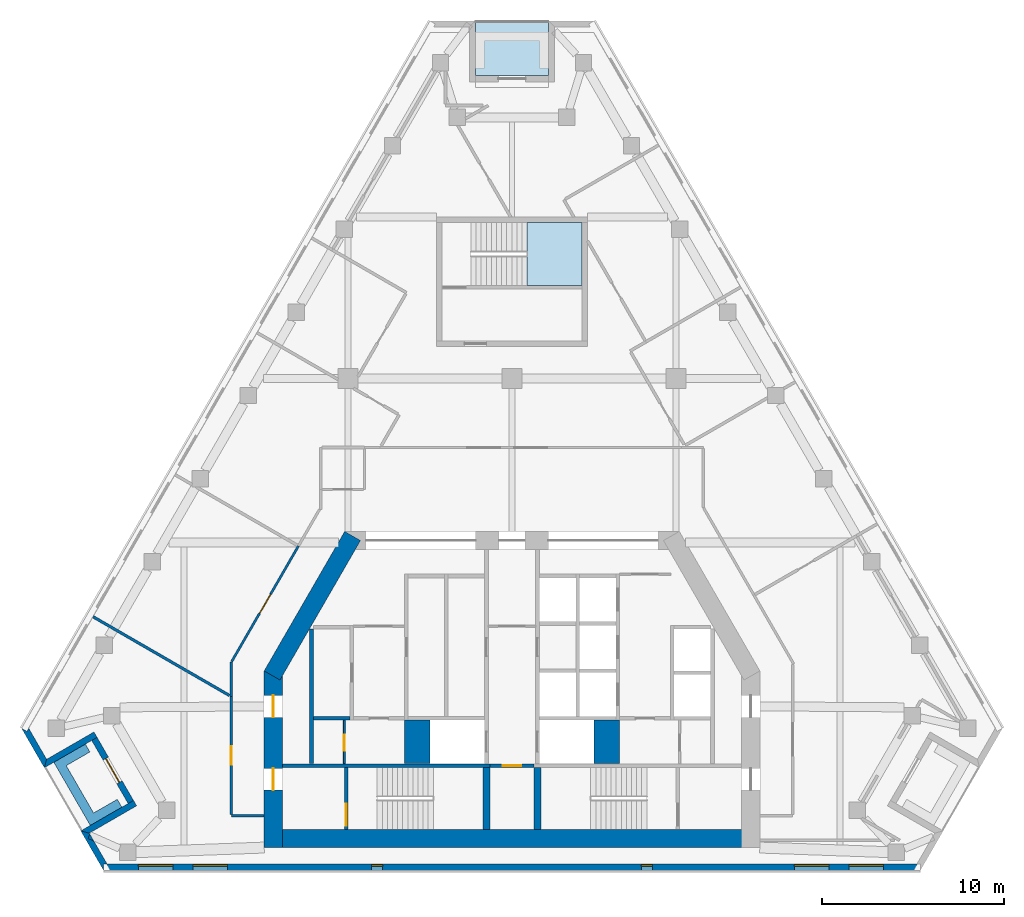
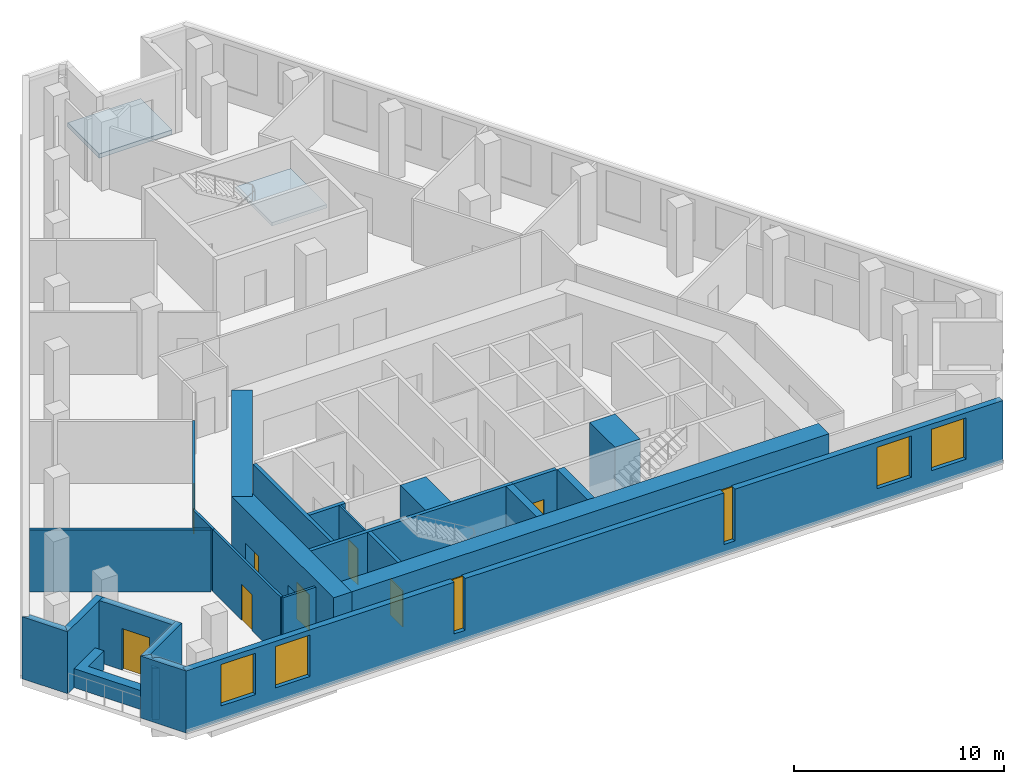
# One storey, part 2 of 8: 26 walls, 8 doors, 6 windows, 2 slabs, 14 openings, 1 element without a shape of its own.
"""IFC4 building model written with IfcOpenShell, lengths in metres."""

import ifcopenshell
import ifcopenshell.guid

model = None  # the IFC model being written
_history = None  # IfcOwnerHistory: only IFC2X3 demands one
_inside = {}  # id of a spatial element -> (the spatial element, [elements in it])
_under = {}  # id of a project, library or spatial element -> (it, [spatial elements below it])
_declared = {}  # id of a project -> (the project, [libraries it declares])
_typed = {}  # id of a type object -> (the type object, [elements of that type])
_made_of = {}  # id of a material, layer set ... -> (it, [elements and type objects made of it])


def new_model(schema):
    """Start an empty IFC model of exactly this schema.

    Asked for "IFC4X3", IfcOpenShell would pick the latest addendum, in which some entities
    have other attributes; the version numbers below select the first issue.
    IFC2X3 requires an IfcOwnerHistory on every rooted entity: one is made here for all.
    """
    global model, _history
    if schema == "IFC4X3":
        model = ifcopenshell.file(schema_version=(4, 3, 0, 0))
    else:
        model = ifcopenshell.file(schema=schema)
    _inside.clear()
    _under.clear()
    _declared.clear()
    _typed.clear()
    _made_of.clear()
    _history = None
    if model.schema == "IFC2X3":
        org = make("IfcOrganization", Name="unknown")
        user = make(
            "IfcPersonAndOrganization",
            ThePerson=make("IfcPerson", FamilyName="unknown"),
            TheOrganization=org,
        )
        app = make(
            "IfcApplication",
            ApplicationDeveloper=org,
            Version="unknown",
            ApplicationFullName="unknown",
            ApplicationIdentifier="unknown",
        )
        _history = make(
            "IfcOwnerHistory",
            OwningUser=user,
            OwningApplication=app,
            ChangeAction="ADDED",
            CreationDate=0,
        )
    return model


def make(cls, **values):
    """One entity of the class cls with the attributes given. An attribute that is None is left unset."""
    return model.create_entity(
        cls, **{name: value for name, value in values.items() if value is not None}
    )


def rooted(cls, **values):
    """An entity with a GlobalId (a new one), such as an element, a storey or a relation."""
    return make(cls, GlobalId=ifcopenshell.guid.new(), OwnerHistory=_history, **values)


def si_unit(unit_type, name, prefix=None):
    """IfcSIUnit, for example si_unit("LENGTHUNIT", "METRE", prefix="MILLI")."""
    return make("IfcSIUnit", UnitType=unit_type, Prefix=prefix, Name=name)


def assignment(units):
    """IfcUnitAssignment: the units of a project."""
    return None if units is None else make("IfcUnitAssignment", Units=units)


def point(xyz):
    """IfcCartesianPoint."""
    return None if xyz is None else make("IfcCartesianPoint", Coordinates=xyz)


def direction(xyz):
    """IfcDirection."""
    return None if xyz is None else make("IfcDirection", DirectionRatios=xyz)


def frame(location, z_axis=None, x_axis=None):
    """IfcAxis2Placement3D, a coordinate frame: its origin and axes. An axis left out is left unset."""
    return make(
        "IfcAxis2Placement3D",
        Location=point(location),
        Axis=direction(z_axis),
        RefDirection=direction(x_axis),
    )


def frame_2d(location, x_axis=None):
    """IfcAxis2Placement2D, a coordinate frame in the plane: its origin and x axis."""
    return make(
        "IfcAxis2Placement2D", Location=point(location), RefDirection=direction(x_axis)
    )


def origin():
    """The frame at (0, 0, 0) with its axes left unset."""
    return frame((0.0, 0.0, 0.0))


def place(relative_to, where):
    """IfcLocalPlacement: puts the frame where relative to a parent placement (None: the world)."""
    return make(
        "IfcLocalPlacement", PlacementRelTo=relative_to, RelativePlacement=where
    )


def context(
    kind, dimensions, precision=None, world=None, true_north=None, identifier=None
):
    """IfcGeometricRepresentationContext, for example the 3D "Model" context."""
    return make(
        "IfcGeometricRepresentationContext",
        ContextIdentifier=identifier,
        ContextType=kind,
        CoordinateSpaceDimension=dimensions,
        Precision=precision,
        WorldCoordinateSystem=world,
        TrueNorth=true_north,
    )


def subcontext(parent, identifier, kind, view, scale=None):
    """IfcGeometricRepresentationSubContext, for example "Body" below "Model"."""
    return make(
        "IfcGeometricRepresentationSubContext",
        ContextIdentifier=identifier,
        ContextType=kind,
        ParentContext=parent,
        TargetScale=scale,
        TargetView=view,
    )


def project(units=None, contexts=None):
    """IfcProject with its units and contexts."""
    return rooted(
        "IfcProject",
        Name="project",
        RepresentationContexts=contexts,
        UnitsInContext=assignment(units),
    )


def spatial(cls, under=None, at=None, **own):
    """A site, building, storey or space (cls), placed at a placement, below another one or the project."""
    s = rooted(cls, ObjectPlacement=at, **own)
    if under is not None:
        _under.setdefault(under.id(), (under, []))[1].append(s)
    return s


def polyline(points):
    """IfcPolyline through the points."""
    return make("IfcPolyline", Points=[point(p) for p in points])


def profile(cls, at=None, kind="AREA", **sizes):
    """A parametric profile (cls). Its sizes go by their IFC names, for example OverallWidth=200.0."""
    return make(cls, ProfileType=kind, Position=at, **sizes)


def rectangle(**sizes):
    """IfcRectangleProfileDef."""
    return profile("IfcRectangleProfileDef", **sizes)


def outline(outer, holes=None, kind="AREA"):
    """IfcArbitraryClosedProfileDef: a profile drawn as a closed curve; with holes, ...WithVoids."""
    if holes is None:
        return make("IfcArbitraryClosedProfileDef", ProfileType=kind, OuterCurve=outer)
    return make(
        "IfcArbitraryProfileDefWithVoids",
        ProfileType=kind,
        OuterCurve=outer,
        InnerCurves=holes,
    )


def extrude(swept, where, along, depth):
    """IfcExtrudedAreaSolid: the profile swept, set in the frame where, extruded along a direction by depth."""
    return make(
        "IfcExtrudedAreaSolid",
        SweptArea=swept,
        Position=where,
        ExtrudedDirection=direction(along),
        Depth=depth,
    )


def shape(context_of_items, identifier, shape_type, items):
    """IfcShapeRepresentation: the items that make up one representation, for example the "Body"."""
    return make(
        "IfcShapeRepresentation",
        ContextOfItems=context_of_items,
        RepresentationIdentifier=identifier,
        RepresentationType=shape_type,
        Items=items,
    )


def material(Name=None, Category=None):
    """IfcMaterial."""
    return make("IfcMaterial", Name=Name, Category=Category)


def layer(
    of_material, thickness, ventilated=None, Name=None, Category=None, Priority=None
):
    """IfcMaterialLayer: one layer of a wall or slab, of a material (None: an air gap)."""
    return make(
        "IfcMaterialLayer",
        Material=of_material,
        LayerThickness=thickness,
        IsVentilated=ventilated,
        Name=Name,
        Category=Category,
        Priority=Priority,
    )


def layer_set(layers, Name=None):
    """IfcMaterialLayerSet."""
    return make("IfcMaterialLayerSet", MaterialLayers=layers, LayerSetName=Name)


def made_of(thing, what):
    """Note that an element or type object is made of a material, layer set ...; save() writes the relation."""
    if what is not None:
        _made_of.setdefault(what.id(), (what, []))[1].append(thing)
    return thing


def type_object(cls, material=None, **own):
    """A type object (cls), such as IfcWallType, which elements share."""
    return made_of(rooted(cls, **own), material)


def element(
    cls,
    number,
    at=None,
    inside=None,
    cuts=None,
    type_object=None,
    material=None,
    context=None,
    identifier="Body",
    shape_type=None,
    held_by="IfcProductDefinitionShape",
    body=None,
    shapes=None,
    **own,
):
    """One element of the class cls, such as IfcWall. Its Tag is "e" and its number.

    at: its placement. inside: the storey or other place that contains it. cuts: it is an
    opening in that element (IfcRelVoidsElement). A single representation is given by context,
    identifier, shape_type and body (its items); several are given by shapes. held_by: the class
    of the entity that holds the representations. save() writes the other relations.
    """
    e = rooted(cls, Tag="e%d" % number, ObjectPlacement=at, **own)
    if body is not None:
        shapes = [shape(context, identifier, shape_type, body)]
    if shapes is not None:
        e.Representation = make(held_by, Representations=shapes)
    if inside is not None:
        _inside.setdefault(inside.id(), (inside, []))[1].append(e)
    if cuts is not None:
        rooted(
            "IfcRelVoidsElement", RelatingBuildingElement=cuts, RelatedOpeningElement=e
        )
    if type_object is not None:
        _typed.setdefault(type_object.id(), (type_object, []))[1].append(e)
    return made_of(e, material)


def fill(opening, filler):
    """IfcRelFillsElement: the door or window that sits in an opening."""
    return rooted(
        "IfcRelFillsElement",
        RelatingOpeningElement=opening,
        RelatedBuildingElement=filler,
    )


def aggregate(whole, parts):
    """IfcRelAggregates: a whole, such as a stair, and the parts it consists of."""
    return rooted("IfcRelAggregates", RelatingObject=whole, RelatedObjects=parts)


def save(model, path):
    """Write the relations noted so far, then the file.

    IfcRelAggregates (storeys below a building ...), IfcRelContainedInSpatialStructure (elements
    in a storey), IfcRelDefinesByType, IfcRelAssociatesMaterial and IfcRelDeclares: one each for
    every whole, place, type object, material and project.
    """
    for whole, parts in _under.values():
        aggregate(whole, parts)
    for where, things in _inside.values():
        rooted(
            "IfcRelContainedInSpatialStructure",
            RelatedElements=things,
            RelatingStructure=where,
        )
    for kind, things in _typed.values():
        rooted("IfcRelDefinesByType", RelatedObjects=things, RelatingType=kind)
    for what, things in _made_of.values():
        rooted("IfcRelAssociatesMaterial", RelatedObjects=things, RelatingMaterial=what)
    for by, libraries in _declared.values():
        rooted("IfcRelDeclares", RelatingContext=by, RelatedDefinitions=libraries)
    model.write(path)


model = new_model("IFC4")

# Units and contexts
model_context = context("Model", 3, precision=1e-05, world=origin(), true_north=direction((0.0, 1.0)))
body_context = subcontext(model_context, "Body", "Model", "MODEL_VIEW")
ifc_project = project(units=[si_unit("LENGTHUNIT", "METRE"), si_unit("AREAUNIT", "SQUARE_METRE"), si_unit("VOLUMEUNIT", "CUBIC_METRE"), si_unit("PLANEANGLEUNIT", "RADIAN"), si_unit("MASSUNIT", "GRAM", prefix="KILO")], contexts=[model_context])

# Site, building, storey
site_placement = place(None, origin())
site = spatial("IfcSite", under=ifc_project, at=site_placement, CompositionType="ELEMENT")
building_placement = place(site_placement, origin())
building = spatial("IfcBuilding", under=site, at=building_placement, Name="Fogline Exchange Tower", CompositionType="ELEMENT")
storey_placement = place(building_placement, frame((0.0, 0.0, 231.5)))
storey = spatial("IfcBuildingStorey", under=building, at=storey_placement, Name="L52", CompositionType="ELEMENT", Elevation=231.5)

# Slab
ifc_material_1 = material(Name="Concrete C40", Category="concrete")
ifc_layer_1 = layer(ifc_material_1, 0.25)
ifc_layer_set_1 = layer_set([ifc_layer_1], Name="DK1")
slab_type_1 = type_object("IfcSlabType", Name="DK1", PredefinedType="FLOOR", material=ifc_layer_set_1)
slab_1_placement = place(storey_placement, frame((0.0, 0.0, -0.25)))
element("IfcSlab", 1, at=slab_1_placement, inside=storey, type_object=slab_type_1, Name="Balcony L52 N", PredefinedType="FLOOR", context=body_context, shape_type="SweptSolid", body=[
    extrude(outline(polyline([(2.0, 46.61669921875), (-2.0, 46.61669921875), (-2.0, 43.61669921875), (2.0, 43.61669921875), (2.0, 46.61669921875)])), origin(), (0.0, 0.0, 1.0), 0.25),
])

# Stair, slab
stair_type = type_object("IfcStairType", Name="STR24-1667", PredefinedType="HALF_TURN_STAIR", material=ifc_material_1)
stair_placement = place(storey_placement, origin())
stair = element("IfcStair", 2, at=stair_placement, inside=storey, type_object=stair_type, Name="Stair ST3", PredefinedType="HALF_TURN_STAIR")
ifc_layer_2 = layer(ifc_material_1, 0.199951171875)
ifc_layer_set_2 = layer_set([ifc_layer_2], Name="SL200")
slab_type_2 = type_object("IfcSlabType", Name="SL200", PredefinedType="LANDING", material=ifc_layer_set_2)
slab_2_placement = place(storey_placement, frame((0.0, 0.0, 1.800048828125)))
slab_2 = element("IfcSlab", 3, at=slab_2_placement, type_object=slab_type_2, Name="ST3 landing 1", PredefinedType="LANDING", context=body_context, shape_type="SweptSolid", body=[
    extrude(outline(polyline([(0.830078125, 32.10693359375), (3.85009765625, 32.10693359375), (3.85009765625, 35.556884765625), (0.830078125, 35.556884765625), (0.830078125, 32.10693359375)])), origin(), (0.0, 0.0, 1.0), 0.199951171875),
])
aggregate(stair, [slab_2])

# Wall, opening, door
ifc_material_2 = material(Name="Blockwork partition", Category="masonry")
ifc_layer_3 = layer(ifc_material_2, 0.10009765625)
ifc_layer_set_3 = layer_set([ifc_layer_3], Name="CW10")
wall_type_1 = type_object("IfcWallType", Name="CW10", PredefinedType="PARTITIONING", material=ifc_layer_set_3)
wall_1_placement = place(storey_placement, frame((-9.199951171875, 5.85009765625, 0.0), z_axis=(0.0, 0.0, 1.0), x_axis=(0.0, 1.0, 0.0)))
wall_1 = element("IfcWall", 4, at=wall_1_placement, inside=storey, type_object=wall_type_1, Name="WC partition", PredefinedType="PARTITIONING", context=body_context, shape_type="SweptSolid", body=[
    extrude(rectangle(XDim=2.39990234375, YDim=0.10009765625, at=frame_2d((1.199951171875, 0.0))), origin(), (0.0, 0.0, 1.0), 3.60009765625),
])
opening_1_placement = place(wall_1_placement, frame((0.699951171875, 0.0, 0.0)))
opening_1 = element("IfcOpeningElement", 5, at=opening_1_placement, cuts=wall_1, Name="Opening T16-C008", PredefinedType="OPENING", context=body_context, shape_type="SweptSolid", body=[
    extrude(rectangle(XDim=0.89990234375, YDim=2.10009765625, at=frame_2d((0.449951171875, 1.050048828125))), frame((0.0, 0.06005859375, 0.0), z_axis=(0.0, -1.0, 0.0), x_axis=(1.0, 0.0, 0.0)), (0.0, 0.0, 1.0), 0.1201171875),
])
ifc_material_3 = material(Name="Steel and timber fire door", Category="steel")
door_type_1 = type_object("IfcDoorType", Name="D-CS1", OperationType="SINGLE_SWING_RIGHT", PredefinedType="DOOR", material=ifc_material_3)
door_1_placement = place(opening_1_placement, origin())
door_1 = element("IfcDoor", 6, at=door_1_placement, inside=storey, type_object=door_type_1, Name="Door to Cleaner's Store", OperationType="SINGLE_SWING_LEFT", OverallHeight=2.10009765625, OverallWidth=0.89990234375, PredefinedType="DOOR", context=body_context, shape_type="SweptSolid", body=[
    extrude(rectangle(XDim=0.89990234375, YDim=2.10009765625, at=frame_2d((0.449951171875, 1.050048828125))), frame((0.0, 0.02490234375, 0.0), z_axis=(0.0, -1.0, 0.0), x_axis=(1.0, 0.0, 0.0)), (0.0, 0.0, 1.0), 0.050048828125),
])
fill(opening_1, door_1)

# Walls
ifc_material_4 = material(Name="Concrete C60", Category="concrete")
ifc_layer_4 = layer(ifc_material_4, 1.39990234375)
ifc_layer_set_4 = layer_set([ifc_layer_4], Name="CW140")
wall_type_2 = type_object("IfcWallType", Name="CW140", PredefinedType="SOLIDWALL", material=ifc_layer_set_4)
for number, where, z_axis, x_axis, name in (
    (7, (-5.199951171875, 5.85009765625, -0.39990234375), (0.0, 0.0, 1.0), (0.0, 1.0, 0.0), "Lift shaft block wall"),
    (8, (5.199951171875, 5.85009765625, -0.39990234375), (0.0, 0.0, 1.0), (0.0, 1.0, 0.0), "Lift shaft block wall"),
):
    element("IfcWall", number, at=place(storey_placement, frame(where, z_axis=z_axis, x_axis=x_axis)), inside=storey, type_object=wall_type_2, Name=name, PredefinedType="SOLIDWALL", context=body_context, shape_type="SweptSolid", body=[
        extrude(rectangle(XDim=2.39990234375, YDim=1.39990234375, at=frame_2d((1.199951171875, 0.0))), origin(), (0.0, 0.0, 1.0), 4.0),
    ])
ifc_layer_5 = layer(ifc_material_1, 0.199951171875)
ifc_layer_set_5 = layer_set([ifc_layer_5], Name="CW20")
wall_type_3 = type_object("IfcWallType", Name="CW20", PredefinedType="SOLIDWALL", material=ifc_layer_set_5)
wall_2_placement = place(storey_placement, frame((-11.0, 5.85009765625, 0.0), z_axis=(0.0, 0.0, 1.0), x_axis=(0.0, 1.0, 0.0)))
element("IfcWall", 9, at=wall_2_placement, inside=storey, type_object=wall_type_3, Name="Service room wall", PredefinedType="SOLIDWALL", context=body_context, shape_type="SweptSolid", body=[
    extrude(rectangle(XDim=7.39990234375, YDim=0.199951171875, at=frame_2d((3.699951171875, 0.0))), origin(), (0.0, 0.0, 1.0), 3.60009765625),
])
ifc_layer_6 = layer(ifc_material_1, 0.199951171875)
ifc_layer_set_6 = layer_set([ifc_layer_6], Name="CW20R")
wall_type_4 = type_object("IfcWallType", Name="CW20R", PredefinedType="SOLIDWALL", material=ifc_layer_set_6)
wall_3_placement = place(storey_placement, frame((-12.60009765625, 5.75, -0.39990234375), z_axis=(0.0, 0.0, 1.0), x_axis=(1.0, 0.0, 0.0)))
element("IfcWall", 10, at=wall_3_placement, inside=storey, type_object=wall_type_4, Name="Stair enclosure wall", PredefinedType="SOLIDWALL", context=body_context, shape_type="SweptSolid", body=[
    extrude(rectangle(XDim=11.400146484375, YDim=0.199951171875, at=frame_2d((5.7001953125, 0.0))), origin(), (0.0, 0.0, 1.0), 4.0),
])

# Wall, opening, door
wall_4_placement = place(storey_placement, frame((-1.199951171875, 5.75, -0.39990234375), z_axis=(0.0, 0.0, 1.0), x_axis=(1.0, 0.0, 0.0)))
wall_4 = element("IfcWall", 11, at=wall_4_placement, inside=storey, type_object=wall_type_4, Name="Stair enclosure wall", PredefinedType="SOLIDWALL", context=body_context, shape_type="SweptSolid", body=[
    extrude(rectangle(XDim=2.39990234375, YDim=0.199951171875, at=frame_2d((1.199951171875, 0.0))), origin(), (0.0, 0.0, 1.0), 4.0),
])
opening_2_placement = place(wall_4_placement, frame((0.699951171875, 0.0, 0.39990234375)))
opening_2 = element("IfcOpeningElement", 12, at=opening_2_placement, cuts=wall_4, Name="Opening T16-C005", PredefinedType="OPENING", context=body_context, shape_type="SweptSolid", body=[
    extrude(rectangle(XDim=1.0, YDim=2.10009765625, at=frame_2d((0.5, 1.050048828125))), frame((0.0, 0.10986328125, 0.0), z_axis=(0.0, -1.0, 0.0), x_axis=(1.0, 0.0, 0.0)), (0.0, 0.0, 1.0), 0.219970703125),
])
door_type_2 = type_object("IfcDoorType", Name="D-RM1", OperationType="SINGLE_SWING_LEFT", PredefinedType="DOOR", material=ifc_material_3)
door_2_placement = place(opening_2_placement, frame((1.0, 0.0, 0.0), z_axis=(0.0, 0.0, 1.0), x_axis=(-1.0, 0.0, 0.0)))
door_2 = element("IfcDoor", 13, at=door_2_placement, inside=storey, type_object=door_type_2, Name="Door to Riser Room", OperationType="SINGLE_SWING_RIGHT", OverallHeight=2.10009765625, OverallWidth=1.0, PredefinedType="DOOR", context=body_context, shape_type="SweptSolid", body=[
    extrude(rectangle(XDim=1.0, YDim=2.10009765625, at=frame_2d((0.5, 1.050048828125))), frame((0.0, 0.02490234375, 0.0), z_axis=(0.0, -1.0, 0.0), x_axis=(1.0, 0.0, 0.0)), (0.0, 0.0, 1.0), 0.050048828125),
])
fill(opening_2, door_2)

wall_5_placement = place(storey_placement, frame((-9.10009765625, 2.25, -0.39990234375), z_axis=(0.0, 0.0, 1.0), x_axis=(0.0, 1.0, 0.0)))
wall_5 = element("IfcWall", 14, at=wall_5_placement, inside=storey, type_object=wall_type_4, Name="Stair enclosure wall", PredefinedType="SOLIDWALL", context=body_context, shape_type="SweptSolid", body=[
    extrude(rectangle(XDim=3.39990234375, YDim=0.199951171875, at=frame_2d((1.699951171875, 0.0))), origin(), (0.0, 0.0, 1.0), 4.0),
])
opening_3_placement = place(wall_5_placement, frame((0.199951171875, 0.0, 0.39990234375)))
opening_3 = element("IfcOpeningElement", 15, at=opening_3_placement, cuts=wall_5, Name="Opening T16-C010", PredefinedType="OPENING", context=body_context, shape_type="SweptSolid", body=[
    extrude(rectangle(XDim=1.199951171875, YDim=2.10009765625, at=frame_2d((0.60009765625, 1.050048828125))), frame((0.0, 0.10986328125, 0.0), z_axis=(0.0, -1.0, 0.0), x_axis=(1.0, 0.0, 0.0)), (0.0, 0.0, 1.0), 0.219970703125),
])
door_type_3 = type_object("IfcDoorType", Name="D-ST1", OperationType="SINGLE_SWING_LEFT", PredefinedType="DOOR", material=ifc_material_3)
door_3_placement = place(opening_3_placement, frame((1.199951171875, 0.0, 0.0), z_axis=(0.0, 0.0, 1.0), x_axis=(-1.0, 0.0, 0.0)))
door_3 = element("IfcDoor", 16, at=door_3_placement, inside=storey, type_object=door_type_3, Name="Stair door ST1", OperationType="SINGLE_SWING_RIGHT", OverallHeight=2.10009765625, OverallWidth=1.199951171875, PredefinedType="DOOR", context=body_context, shape_type="SweptSolid", body=[
    extrude(rectangle(XDim=1.199951171875, YDim=2.10009765625, at=frame_2d((0.60009765625, 1.050048828125))), frame((0.0, 0.02490234375, 0.0), z_axis=(0.0, -1.0, 0.0), x_axis=(1.0, 0.0, 0.0)), (0.0, 0.0, 1.0), 0.050048828125),
])
fill(opening_3, door_3)

# Walls
ifc_layer_7 = layer(ifc_material_1, 0.199951171875)
ifc_layer_set_7 = layer_set([ifc_layer_7], Name="CW20S")
wall_type_5 = type_object("IfcWallType", Name="CW20S", PredefinedType="SOLIDWALL", material=ifc_layer_set_7)
wall_6_placement = place(storey_placement, frame((-10.89990234375, 8.35009765625, -0.39990234375), z_axis=(0.0, 0.0, 1.0), x_axis=(1.0, 0.0, 0.0)))
element("IfcWall", 17, at=wall_6_placement, inside=storey, type_object=wall_type_5, Name="Lift shaft wall", PredefinedType="SOLIDWALL", context=body_context, shape_type="SweptSolid", body=[
    extrude(rectangle(XDim=2.0, YDim=0.199951171875, at=frame_2d((1.0, 0.0))), origin(), (0.0, 0.0, 1.0), 4.0),
])
ifc_layer_8 = layer(ifc_material_1, 0.39990234375)
ifc_layer_set_8 = layer_set([ifc_layer_8], Name="CW40R")
wall_type_6 = type_object("IfcWallType", Name="CW40R", PredefinedType="SOLIDWALL", material=ifc_layer_set_8)
for number, where, z_axis, x_axis, name in (
    (18, (-1.39990234375, 2.25, -0.39990234375), (0.0, 0.0, 1.0), (0.0, 1.0, 0.0), "Stair and lift shaft wall"),
    (19, (1.39990234375, 2.25, -0.39990234375), (0.0, 0.0, 1.0), (0.0, 1.0, 0.0), "Stair and lift shaft wall"),
):
    element("IfcWall", number, at=place(storey_placement, frame(where, z_axis=z_axis, x_axis=x_axis)), inside=storey, type_object=wall_type_6, Name=name, PredefinedType="SOLIDWALL", context=body_context, shape_type="SweptSolid", body=[
        extrude(rectangle(XDim=3.39990234375, YDim=0.39990234375, at=frame_2d((1.699951171875, 0.0))), origin(), (0.0, 0.0, 1.0), 4.0),
    ])
ifc_material_5 = material(Name="Brick masonry", Category="masonry")
ifc_layer_9 = layer(ifc_material_5, 0.340087890625)
ifc_layer_set_9 = layer_set([ifc_layer_9], Name="FW1")
wall_type_7 = type_object("IfcWallType", Name="FW1", PredefinedType="SOLIDWALL", material=ifc_layer_set_9)
wall_7_placement = place(storey_placement, origin())
element("IfcWall", 20, at=wall_7_placement, inside=storey, type_object=wall_type_7, Name="Brick wall L52 SW-c1", PredefinedType="SOLIDWALL", context=body_context, shape_type="SweptSolid", body=[
    extrude(outline(polyline([(-25.6640625, 5.6279296875), (-26.915283203125, 7.794921875), (-26.914794921875, 7.79541015625), (-26.619873046875, 7.625), (-26.521484375, 7.79541015625), (-25.5390625, 6.09375), (-25.663818359375, 5.6279296875), (-25.6640625, 5.6279296875)])), origin(), (0.0, 0.0, 1.0), 3.60009765625),
])
wall_8_placement = place(storey_placement, origin())
element("IfcWall", 21, at=wall_8_placement, inside=storey, type_object=wall_type_7, Name="Brick wall L52 SW-s1", PredefinedType="SOLIDWALL", context=body_context, shape_type="SweptSolid", body=[
    extrude(outline(polyline([(-22.94140625, 7.594482421875), (-22.770751953125, 7.298828125), (-23.065673828125, 7.128662109375), (-25.664794921875, 5.628173828125), (-25.6650390625, 5.62841796875), (-25.540283203125, 6.093994140625), (-22.94140625, 7.594482421875)])), origin(), (0.0, 0.0, 1.0), 3.60009765625),
])

# Wall, opening, door
wall_9_placement = place(storey_placement, frame((-22.9189453125, 7.214111328125, 0.0), z_axis=(0.0, 0.0, 1.0), x_axis=(0.49999894854, -0.866026010844, 0.0)))
wall_9 = element("IfcWall", 22, at=wall_9_placement, inside=storey, type_object=wall_type_7, Name="Brick wall L52 SW-bk", PredefinedType="SOLIDWALL", context=body_context, shape_type="SweptSolid", body=[
    extrude(rectangle(XDim=4.0, YDim=0.340087890625, at=frame_2d((2.0, 0.0))), origin(), (0.0, 0.0, 1.0), 3.60009765625),
])
opening_4_placement = place(wall_9_placement, frame((1.25, 0.0, 0.0)))
opening_4 = element("IfcOpeningElement", 23, at=opening_4_placement, cuts=wall_9, Name="Opening T16-E021", PredefinedType="OPENING", context=body_context, shape_type="SweptSolid", body=[
    extrude(rectangle(XDim=1.5, YDim=2.39990234375, at=frame_2d((0.75, 1.199951171875))), frame((0.0, 0.18017578125, 0.0), z_axis=(0.0, -1.0, 0.0), x_axis=(1.0, 0.0, 0.0)), (0.0, 0.0, 1.0), 0.360107421875),
])
ifc_material_6 = material(Name="Aluminium and glass", Category="aluminium")
door_type_4 = type_object("IfcDoorType", Name="ED4", OperationType="SINGLE_SWING_LEFT", PredefinedType="DOOR", material=ifc_material_6)
door_4_placement = place(opening_4_placement, frame((1.5, 0.0, 0.0), z_axis=(0.0, 0.0, 1.0), x_axis=(-1.0, 0.0, 0.0)))
door_4 = element("IfcDoor", 24, at=door_4_placement, inside=storey, type_object=door_type_4, Name="Balcony door L52 SW", OperationType="DOUBLE_DOOR_SINGLE_SWING", OverallHeight=2.39990234375, OverallWidth=1.5, PredefinedType="DOOR", context=body_context, shape_type="SweptSolid", body=[
    extrude(rectangle(XDim=1.5, YDim=2.39990234375, at=frame_2d((0.75, 1.199951171875))), frame((0.0, 0.02490234375, 0.0), z_axis=(0.0, -1.0, 0.0), x_axis=(1.0, 0.0, 0.0)), (0.0, 0.0, 1.0), 0.050048828125),
])
fill(opening_4, door_4)

# Walls
wall_10_placement = place(storey_placement, origin())
element("IfcWall", 25, at=wall_10_placement, inside=storey, type_object=wall_type_7, Name="Brick wall L52 SW-s2", PredefinedType="SOLIDWALL", context=body_context, shape_type="SweptSolid", body=[
    extrude(outline(polyline([(-23.665283203125, 2.1650390625), (-21.06640625, 3.66552734375), (-20.771484375, 3.8359375), (-20.600830078125, 3.540283203125), (-23.19970703125, 2.0400390625), (-23.665283203125, 2.164794921875), (-23.665283203125, 2.1650390625)])), origin(), (0.0, 0.0, 1.0), 3.60009765625),
])
wall_11_placement = place(storey_placement, origin())
element("IfcWall", 26, at=wall_11_placement, inside=storey, type_object=wall_type_7, Name="Brick wall L52 SW-c2", PredefinedType="SOLIDWALL", context=body_context, shape_type="SweptSolid", body=[
    extrude(outline(polyline([(-22.9482421875, 1.606201171875), (-23.271484375, 1.75), (-23.1669921875, 1.985107421875), (-22.9482421875, 1.606201171875)])), origin(), (0.0, 0.0, 1.0), 3.0),
])
wall_12_placement = place(storey_placement, origin())
element("IfcWall", 27, at=wall_12_placement, inside=storey, type_object=wall_type_7, Name="Brick wall L52 SW-c2", PredefinedType="SOLIDWALL", context=body_context, shape_type="SweptSolid", body=[
    extrude(outline(polyline([(-22.41357421875, 0.33935546875), (-22.41357421875, -0.0009765625), (-22.4140625, -0.001220703125), (-23.665283203125, 2.165771484375), (-23.6650390625, 2.166015625), (-23.19921875, 2.041015625), (-23.1669921875, 1.985107421875), (-23.271484375, 1.75), (-22.9482421875, 1.606201171875), (-22.216796875, 0.33935546875), (-22.41357421875, 0.33935546875)])), origin(), (0.0, 0.0, 1.0), 3.60009765625),
])

# Wall, openings, windows
wall_13_placement = place(storey_placement, frame((-22.4140625, 0.169921875, 0.0), z_axis=(0.0, 0.0, 1.0), x_axis=(1.0, 0.0, 0.0)))
wall_13 = element("IfcWall", 28, at=wall_13_placement, inside=storey, type_object=wall_type_7, Name="Brick wall L52 S", PredefinedType="SOLIDWALL", context=body_context, shape_type="SweptSolid", body=[
    extrude(rectangle(XDim=44.828125, YDim=0.340087890625, at=frame_2d((22.4140625, 0.0))), origin(), (0.0, 0.0, 1.0), 3.60009765625),
])
opening_5_placement = place(wall_13_placement, frame((1.9140625, 0.0, 0.89990234375)))
opening_5 = element("IfcOpeningElement", 29, at=opening_5_placement, cuts=wall_13, Name="Opening W1", PredefinedType="OPENING", context=body_context, shape_type="SweptSolid", body=[
    extrude(rectangle(XDim=1.885009765625, YDim=2.39990234375, at=frame_2d((0.9423828125, 1.199951171875))), frame((0.0, 0.18017578125, 0.0), z_axis=(0.0, -1.0, 0.0), x_axis=(1.0, 0.0, 0.0)), (0.0, 0.0, 1.0), 0.360107421875),
])
opening_6_placement = place(wall_13_placement, frame((4.9140625, 0.0, 0.89990234375)))
opening_6 = element("IfcOpeningElement", 30, at=opening_6_placement, cuts=wall_13, Name="Opening W1", PredefinedType="OPENING", context=body_context, shape_type="SweptSolid", body=[
    extrude(rectangle(XDim=1.885009765625, YDim=2.39990234375, at=frame_2d((0.9423828125, 1.199951171875))), frame((0.0, 0.18017578125, 0.0), z_axis=(0.0, -1.0, 0.0), x_axis=(1.0, 0.0, 0.0)), (0.0, 0.0, 1.0), 0.360107421875),
])
opening_7_placement = place(wall_13_placement, frame((37.9140625, 0.0, 0.89990234375)))
opening_7 = element("IfcOpeningElement", 31, at=opening_7_placement, cuts=wall_13, Name="Opening W1", PredefinedType="OPENING", context=body_context, shape_type="SweptSolid", body=[
    extrude(rectangle(XDim=1.885009765625, YDim=2.39990234375, at=frame_2d((0.9423828125, 1.199951171875))), frame((0.0, 0.18017578125, 0.0), z_axis=(0.0, -1.0, 0.0), x_axis=(1.0, 0.0, 0.0)), (0.0, 0.0, 1.0), 0.360107421875),
])
opening_8_placement = place(wall_13_placement, frame((40.9140625, 0.0, 0.89990234375)))
opening_8 = element("IfcOpeningElement", 32, at=opening_8_placement, cuts=wall_13, Name="Opening W1", PredefinedType="OPENING", context=body_context, shape_type="SweptSolid", body=[
    extrude(rectangle(XDim=1.885009765625, YDim=2.39990234375, at=frame_2d((0.9423828125, 1.199951171875))), frame((0.0, 0.18017578125, 0.0), z_axis=(0.0, -1.0, 0.0), x_axis=(1.0, 0.0, 0.0)), (0.0, 0.0, 1.0), 0.360107421875),
])
opening_9_placement = place(wall_13_placement, frame((14.714111328125, 0.0, 0.60009765625)))
opening_9 = element("IfcOpeningElement", 33, at=opening_9_placement, cuts=wall_13, Name="Opening W5", PredefinedType="OPENING", context=body_context, shape_type="SweptSolid", body=[
    extrude(rectangle(XDim=0.60009765625, YDim=3.0, at=frame_2d((0.300048828125, 1.5))), frame((0.0, 0.18017578125, 0.0), z_axis=(0.0, -1.0, 0.0), x_axis=(1.0, 0.0, 0.0)), (0.0, 0.0, 1.0), 0.360107421875),
])
opening_10_placement = place(wall_13_placement, frame((29.51416015625, 0.0, 0.60009765625)))
opening_10 = element("IfcOpeningElement", 34, at=opening_10_placement, cuts=wall_13, Name="Opening W5", PredefinedType="OPENING", context=body_context, shape_type="SweptSolid", body=[
    extrude(rectangle(XDim=0.60009765625, YDim=3.0, at=frame_2d((0.300048828125, 1.5))), frame((0.0, 0.18017578125, 0.0), z_axis=(0.0, -1.0, 0.0), x_axis=(1.0, 0.0, 0.0)), (0.0, 0.0, 1.0), 0.360107421875),
])
window_type_1 = type_object("IfcWindowType", Name="W1", PartitioningType="SINGLE_PANEL", PredefinedType="WINDOW", material=ifc_material_6)
window_1_placement = place(opening_5_placement, origin())
window_1 = element("IfcWindow", 35, at=window_1_placement, inside=storey, type_object=window_type_1, Name="W1 W1", OverallHeight=2.39990234375, OverallWidth=1.885009765625, PartitioningType="SINGLE_PANEL", PredefinedType="WINDOW", context=body_context, shape_type="SweptSolid", body=[
    extrude(rectangle(XDim=1.885009765625, YDim=2.39990234375, at=frame_2d((0.9423828125, 1.199951171875))), frame((0.0, 0.110107421875, 0.0), z_axis=(0.0, -1.0, 0.0), x_axis=(1.0, 0.0, 0.0)), (0.0, 0.0, 1.0), 0.06005859375),
])
fill(opening_5, window_1)
window_2_placement = place(opening_6_placement, origin())
window_2 = element("IfcWindow", 36, at=window_2_placement, inside=storey, type_object=window_type_1, Name="W1 W1", OverallHeight=2.39990234375, OverallWidth=1.885009765625, PartitioningType="SINGLE_PANEL", PredefinedType="WINDOW", context=body_context, shape_type="SweptSolid", body=[
    extrude(rectangle(XDim=1.885009765625, YDim=2.39990234375, at=frame_2d((0.9423828125, 1.199951171875))), frame((0.0, 0.110107421875, 0.0), z_axis=(0.0, -1.0, 0.0), x_axis=(1.0, 0.0, 0.0)), (0.0, 0.0, 1.0), 0.06005859375),
])
fill(opening_6, window_2)
window_3_placement = place(opening_7_placement, origin())
window_3 = element("IfcWindow", 37, at=window_3_placement, inside=storey, type_object=window_type_1, Name="W1 W1", OverallHeight=2.39990234375, OverallWidth=1.885009765625, PartitioningType="SINGLE_PANEL", PredefinedType="WINDOW", context=body_context, shape_type="SweptSolid", body=[
    extrude(rectangle(XDim=1.885009765625, YDim=2.39990234375, at=frame_2d((0.9423828125, 1.199951171875))), frame((0.0, 0.110107421875, 0.0), z_axis=(0.0, -1.0, 0.0), x_axis=(1.0, 0.0, 0.0)), (0.0, 0.0, 1.0), 0.06005859375),
])
fill(opening_7, window_3)
window_4_placement = place(opening_8_placement, origin())
window_4 = element("IfcWindow", 38, at=window_4_placement, inside=storey, type_object=window_type_1, Name="W1 W1", OverallHeight=2.39990234375, OverallWidth=1.885009765625, PartitioningType="SINGLE_PANEL", PredefinedType="WINDOW", context=body_context, shape_type="SweptSolid", body=[
    extrude(rectangle(XDim=1.885009765625, YDim=2.39990234375, at=frame_2d((0.9423828125, 1.199951171875))), frame((0.0, 0.110107421875, 0.0), z_axis=(0.0, -1.0, 0.0), x_axis=(1.0, 0.0, 0.0)), (0.0, 0.0, 1.0), 0.06005859375),
])
fill(opening_8, window_4)
window_type_2 = type_object("IfcWindowType", Name="W5", PartitioningType="SINGLE_PANEL", PredefinedType="WINDOW", material=ifc_material_6)
window_5_placement = place(opening_9_placement, origin())
window_5 = element("IfcWindow", 39, at=window_5_placement, inside=storey, type_object=window_type_2, Name="W5 W5", OverallHeight=3.0, OverallWidth=0.60009765625, PartitioningType="SINGLE_PANEL", PredefinedType="WINDOW", context=body_context, shape_type="SweptSolid", body=[
    extrude(rectangle(XDim=0.60009765625, YDim=3.0, at=frame_2d((0.300048828125, 1.5))), frame((0.0, 0.110107421875, 0.0), z_axis=(0.0, -1.0, 0.0), x_axis=(1.0, 0.0, 0.0)), (0.0, 0.0, 1.0), 0.06005859375),
])
fill(opening_9, window_5)
window_6_placement = place(opening_10_placement, origin())
window_6 = element("IfcWindow", 40, at=window_6_placement, inside=storey, type_object=window_type_2, Name="W5 W5", OverallHeight=3.0, OverallWidth=0.60009765625, PartitioningType="SINGLE_PANEL", PredefinedType="WINDOW", context=body_context, shape_type="SweptSolid", body=[
    extrude(rectangle(XDim=0.60009765625, YDim=3.0, at=frame_2d((0.300048828125, 1.5))), frame((0.0, 0.110107421875, 0.0), z_axis=(0.0, -1.0, 0.0), x_axis=(1.0, 0.0, 0.0)), (0.0, 0.0, 1.0), 0.06005859375),
])
fill(opening_10, window_6)

# Walls
ifc_material_7 = material(Name="Concrete C30", Category="concrete")
ifc_layer_10 = layer(ifc_material_7, 0.199951171875)
ifc_layer_set_10 = layer_set([ifc_layer_10], Name="PL1")
wall_type_8 = type_object("IfcWallType", Name="PL1", PredefinedType="USERDEFINED", material=ifc_layer_set_10)
wall_14_placement = place(storey_placement, origin())
element("IfcWall", 41, at=wall_14_placement, inside=storey, type_object=wall_type_8, Name="PLANTER balcony L52 SW", ObjectType="PLANTER", PredefinedType="USERDEFINED", context=body_context, shape_type="SweptSolid", body=[
    extrude(outline(polyline([(-21.66259765625, 3.898193359375), (-22.96142578125, 3.148193359375), (-24.46142578125, 5.74609375), (-23.16259765625, 6.49609375), (-23.41259765625, 6.92919921875), (-25.14453125, 5.92919921875), (-24.89453125, 5.49609375), (-23.14453125, 2.465087890625), (-22.71142578125, 2.715087890625), (-22.71142578125, 2.715087890625), (-21.41259765625, 3.465087890625), (-21.66259765625, 3.898193359375)])), origin(), (0.0, 0.0, 1.0), 1.10009765625),
])
ifc_material_8 = material(Name="Plasterboard corridor partition with mineral wool, 2 layers each side")
ifc_layer_11 = layer(ifc_material_8, 0.125)
ifc_layer_set_11 = layer_set([ifc_layer_11], Name="PW2")
wall_type_9 = type_object("IfcWallType", Name="PW2", PredefinedType="PARTITIONING", material=ifc_layer_set_11)
wall_15_placement = place(storey_placement, frame((-15.39990234375, 9.534912109375, 0.0), z_axis=(0.0, 0.0, 1.0), x_axis=(0.0, 1.0, 0.0)))
element("IfcWall", 42, at=wall_15_placement, inside=storey, type_object=wall_type_9, Name="wall-L52-W013", PredefinedType="PARTITIONING", context=body_context, shape_type="SweptSolid", body=[
    extrude(rectangle(XDim=1.892822265625, YDim=0.125, at=frame_2d((0.9462890625, 0.0))), origin(), (0.0, 0.0, 1.0), 3.60009765625),
])

# Wall, opening, door
wall_16_placement = place(storey_placement, frame((-15.384521484375, 11.45458984375, 0.0), z_axis=(0.0, 0.0, 1.0), x_axis=(0.500007885066, 0.866020851292, 0.0)))
wall_16 = element("IfcWall", 43, at=wall_16_placement, inside=storey, type_object=wall_type_9, Name="wall-L52-W014", PredefinedType="PARTITIONING", context=body_context, shape_type="SweptSolid", body=[
    extrude(rectangle(XDim=7.330078125, YDim=0.125, at=frame_2d((3.6650390625, 0.0))), origin(), (0.0, 0.0, 1.0), 3.60009765625),
])
opening_11_placement = place(wall_16_placement, frame((3.06494140625, 0.0, 0.0)))
opening_11 = element("IfcOpeningElement", 44, at=opening_11_placement, cuts=wall_16, Name="Opening T16-D005", PredefinedType="OPENING", context=body_context, shape_type="SweptSolid", body=[
    extrude(rectangle(XDim=1.199951171875, YDim=2.10009765625, at=frame_2d((0.60009765625, 1.050048828125))), frame((0.0, 0.072509765625, 0.0), z_axis=(0.0, -1.0, 0.0), x_axis=(1.0, 0.0, 0.0)), (0.0, 0.0, 1.0), 0.14501953125),
])
ifc_material_9 = material(Name="Fire-rated glazed door leaf with steel frame", Category="steel")
door_type_5 = type_object("IfcDoorType", Name="D5", OperationType="SINGLE_SWING_LEFT", PredefinedType="DOOR", material=ifc_material_9)
door_5_placement = place(opening_11_placement, origin())
door_5 = element("IfcDoor", 45, at=door_5_placement, inside=storey, type_object=door_type_5, Name="door-L52-D005", OperationType="SINGLE_SWING_LEFT", OverallHeight=2.10009765625, OverallWidth=1.199951171875, PredefinedType="DOOR", context=body_context, shape_type="SweptSolid", body=[
    extrude(rectangle(XDim=1.199951171875, YDim=2.10009765625, at=frame_2d((0.60009765625, 1.050048828125))), frame((0.0, 0.02490234375, 0.0), z_axis=(0.0, -1.0, 0.0), x_axis=(1.0, 0.0, 0.0)), (0.0, 0.0, 1.0), 0.050048828125),
])
fill(opening_11, door_5)

# Wall
wall_17_placement = place(storey_placement, frame((-13.60009765625, 3.0, 0.0), z_axis=(0.0, 0.0, 1.0), x_axis=(-1.0, 0.0, 0.0)))
element("IfcWall", 46, at=wall_17_placement, inside=storey, type_object=wall_type_9, Name="wall-L52-W015", PredefinedType="PARTITIONING", context=body_context, shape_type="SweptSolid", body=[
    extrude(rectangle(XDim=1.7998046875, YDim=0.125, at=frame_2d((0.89990234375, 0.0))), origin(), (0.0, 0.0, 1.0), 3.60009765625),
])

# Wall, opening, door
wall_18_placement = place(storey_placement, frame((-15.39990234375, 3.0625, 0.0), z_axis=(0.0, 0.0, 1.0), x_axis=(0.0, 1.0, 0.0)))
wall_18 = element("IfcWall", 47, at=wall_18_placement, inside=storey, type_object=wall_type_9, Name="wall-L52-W016", PredefinedType="PARTITIONING", context=body_context, shape_type="SweptSolid", body=[
    extrude(rectangle(XDim=6.472412109375, YDim=0.125, at=frame_2d((3.236328125, 0.0))), origin(), (0.0, 0.0, 1.0), 3.60009765625),
])
opening_12_placement = place(wall_18_placement, frame((2.736083984375, 0.0, 0.0)))
opening_12 = element("IfcOpeningElement", 48, at=opening_12_placement, cuts=wall_18, Name="Opening T16-D006", PredefinedType="OPENING", context=body_context, shape_type="SweptSolid", body=[
    extrude(rectangle(XDim=1.0, YDim=2.10009765625, at=frame_2d((0.5, 1.050048828125))), frame((0.0, 0.072509765625, 0.0), z_axis=(0.0, -1.0, 0.0), x_axis=(1.0, 0.0, 0.0)), (0.0, 0.0, 1.0), 0.14501953125),
])
ifc_material_10 = material(Name="Fire-rated timber door leaf with steel frame", Category="steel")
door_type_6 = type_object("IfcDoorType", Name="D3", OperationType="SINGLE_SWING_LEFT", PredefinedType="DOOR", material=ifc_material_10)
door_6_placement = place(opening_12_placement, origin())
door_6 = element("IfcDoor", 49, at=door_6_placement, inside=storey, type_object=door_type_6, Name="door-L52-D006", OperationType="SINGLE_SWING_LEFT", OverallHeight=2.10009765625, OverallWidth=1.0, PredefinedType="DOOR", context=body_context, shape_type="SweptSolid", body=[
    extrude(rectangle(XDim=1.0, YDim=2.10009765625, at=frame_2d((0.5, 1.050048828125))), frame((0.0, 0.02490234375, 0.0), z_axis=(0.0, -1.0, 0.0), x_axis=(1.0, 0.0, 0.0)), (0.0, 0.0, 1.0), 0.050048828125),
])
fill(opening_12, door_6)

# Walls
ifc_material_11 = material(Name="Plasterboard demising partition with mineral wool and acoustic board")
ifc_layer_12 = layer(ifc_material_11, 0.14990234375)
ifc_layer_set_12 = layer_set([ifc_layer_12], Name="PW3")
wall_type_10 = type_object("IfcWallType", Name="PW3", PredefinedType="PARTITIONING", material=ifc_layer_set_12)
wall_19_placement = place(storey_placement, frame((-15.50048828125, 9.593017578125, 0.0), z_axis=(0.0, 0.0, 1.0), x_axis=(-0.866025689381, 0.499999505331, 0.0)))
element("IfcWall", 50, at=wall_19_placement, inside=storey, type_object=wall_type_10, Name="wall-L52-W044", PredefinedType="PARTITIONING", context=body_context, shape_type="SweptSolid", body=[
    extrude(rectangle(XDim=8.64501953125, YDim=0.14990234375, at=frame_2d((4.322509765625, 0.0))), origin(), (0.0, 0.0, 1.0), 3.60009765625),
])
ifc_layer_13 = layer(ifc_material_4, 1.0)
ifc_layer_set_13 = layer_set([ifc_layer_13], Name="SW03")
wall_type_11 = type_object("IfcWallType", Name="SW03", PredefinedType="SHEAR", material=ifc_layer_set_13)
wall_20_placement = place(storey_placement, frame((-13.60009765625, 1.75, 0.0), z_axis=(0.0, 0.0, 1.0), x_axis=(1.0, 0.0, 0.0)))
element("IfcWall", 51, at=wall_20_placement, inside=storey, type_object=wall_type_11, Name="L52-W901", PredefinedType="SHEAR", context=body_context, shape_type="SweptSolid", body=[
    extrude(rectangle(XDim=27.2001953125, YDim=1.0, at=frame_2d((13.60009765625, 0.0))), origin(), (0.0, 0.0, 1.0), 4.0),
])
wall_21_placement = place(storey_placement, frame((-8.74755859375, 18.35009765625, 0.0), z_axis=(0.0, 0.0, 1.0), x_axis=(-0.499995021168, -0.866028278295, 0.0)))
element("IfcWall", 52, at=wall_21_placement, inside=storey, type_object=wall_type_11, Name="L52-W905", PredefinedType="SHEAR", context=body_context, shape_type="SweptSolid", body=[
    extrude(rectangle(XDim=8.8388671875, YDim=1.0, at=frame_2d((4.41943359375, 0.0))), origin(), (0.0, 0.0, 1.0), 4.0),
])

# Wall, openings, doors
wall_22_placement = place(storey_placement, frame((-13.10009765625, 10.9453125, 0.0), z_axis=(0.0, 0.0, 1.0), x_axis=(0.0, -1.0, 0.0)))
wall_22 = element("IfcWall", 53, at=wall_22_placement, inside=storey, type_object=wall_type_11, Name="L52-W906", PredefinedType="SHEAR", context=body_context, shape_type="SweptSolid", body=[
    extrude(rectangle(XDim=9.6953125, YDim=1.0, at=frame_2d((4.84765625, 0.0))), origin(), (0.0, 0.0, 1.0), 4.0),
])
opening_13_placement = place(wall_22_placement, frame((5.345458984375, 0.0, 0.0)))
opening_13 = element("IfcOpeningElement", 54, at=opening_13_placement, cuts=wall_22, Name="Opening T16-C009", PredefinedType="OPENING", context=body_context, shape_type="SweptSolid", body=[
    extrude(rectangle(XDim=1.199951171875, YDim=2.10009765625, at=frame_2d((0.60009765625, 1.050048828125))), frame((0.0, 0.510009765625, 0.0), z_axis=(0.0, -1.0, 0.0), x_axis=(1.0, 0.0, 0.0)), (0.0, 0.0, 1.0), 1.02001953125),
])
opening_14_placement = place(wall_22_placement, frame((1.345458984375, 0.0, 0.0)))
opening_14 = element("IfcOpeningElement", 55, at=opening_14_placement, cuts=wall_22, Name="Opening T16-C011", PredefinedType="OPENING", context=body_context, shape_type="SweptSolid", body=[
    extrude(rectangle(XDim=1.199951171875, YDim=2.10009765625, at=frame_2d((0.60009765625, 1.050048828125))), frame((0.0, 0.510009765625, 0.0), z_axis=(0.0, -1.0, 0.0), x_axis=(1.0, 0.0, 0.0)), (0.0, 0.0, 1.0), 1.02001953125),
])
door_type_7 = type_object("IfcDoorType", Name="D-FR1", OperationType="SINGLE_SWING_RIGHT", PredefinedType="DOOR", material=ifc_material_3)
door_7_placement = place(opening_13_placement, origin())
door_7 = element("IfcDoor", 56, at=door_7_placement, inside=storey, type_object=door_type_7, Name="Front room door ST1", OperationType="SINGLE_SWING_LEFT", OverallHeight=2.10009765625, OverallWidth=1.199951171875, PredefinedType="DOOR", context=body_context, shape_type="SweptSolid", body=[
    extrude(rectangle(XDim=1.199951171875, YDim=2.10009765625, at=frame_2d((0.60009765625, 1.050048828125))), frame((0.0, 0.02490234375, 0.0), z_axis=(0.0, -1.0, 0.0), x_axis=(1.0, 0.0, 0.0)), (0.0, 0.0, 1.0), 0.050048828125),
])
fill(opening_13, door_7)
door_type_8 = type_object("IfcDoorType", Name="D-SV1", OperationType="SINGLE_SWING_LEFT", PredefinedType="DOOR", material=ifc_material_3)
door_8_placement = place(opening_14_placement, origin())
door_8 = element("IfcDoor", 57, at=door_8_placement, inside=storey, type_object=door_type_8, Name="Service door W", OperationType="SINGLE_SWING_LEFT", OverallHeight=2.10009765625, OverallWidth=1.199951171875, PredefinedType="DOOR", context=body_context, shape_type="SweptSolid", body=[
    extrude(rectangle(XDim=1.199951171875, YDim=2.10009765625, at=frame_2d((0.60009765625, 1.050048828125))), frame((0.0, 0.02490234375, 0.0), z_axis=(0.0, -1.0, 0.0), x_axis=(1.0, 0.0, 0.0)), (0.0, 0.0, 1.0), 0.050048828125),
])
fill(opening_14, door_8)

save(model, "model.ifc")
